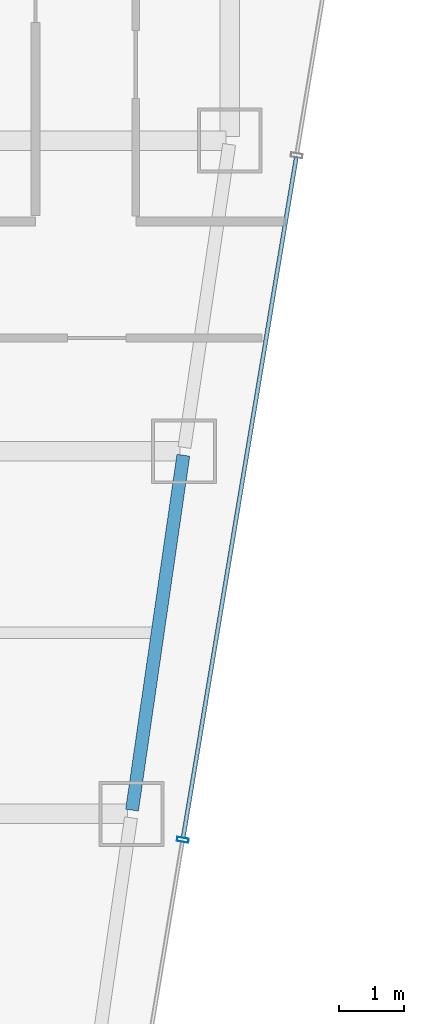
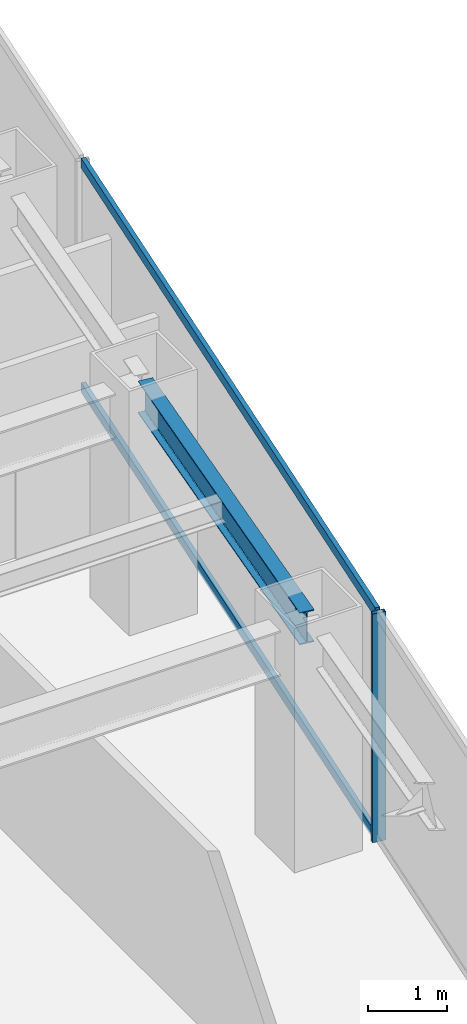
# One storey, part 18 of 36: 3 members, 1 beam, 1 element without a shape of its own.
"""IFC4 building model written with IfcOpenShell, lengths in metres."""

from ifc_helpers import new_model, si_unit, direction, frame, origin, origin_2d, place, context, subcontext, project, spatial, hollow_rectangle, i_section, extrude, material, material_profile, profile_set, type_object, element, aggregate, save


model = new_model("IFC4")

# Units and contexts
model_context = context("Model", 3, precision=1e-05, world=origin(), true_north=direction((0.0, 1.0)))
body_context = subcontext(model_context, "Body", "Model", "MODEL_VIEW")
ifc_project = project(units=[si_unit("LENGTHUNIT", "METRE"), si_unit("AREAUNIT", "SQUARE_METRE"), si_unit("VOLUMEUNIT", "CUBIC_METRE"), si_unit("PLANEANGLEUNIT", "RADIAN"), si_unit("MASSUNIT", "GRAM", prefix="KILO")], contexts=[model_context])

# Site, building, storey
site_placement = place(None, origin())
site = spatial("IfcSite", under=ifc_project, at=site_placement, CompositionType="ELEMENT")
building_placement = place(site_placement, origin())
building = spatial("IfcBuilding", under=site, at=building_placement, Name="Saevonmaru Cultural Tower", CompositionType="ELEMENT")
storey_placement = place(building_placement, frame((0.0, 0.0, 156.199951171875)))
storey = spatial("IfcBuildingStorey", under=building, at=storey_placement, Name="L34", CompositionType="ELEMENT", Elevation=156.199951171875)

# Beam
ifc_material_1 = material(Name="Steel SM355", Category="steel")
ifc_material_profile_1 = material_profile(ifc_material_1, i_section(OverallWidth=0.199951171875, OverallDepth=0.5, WebThickness=0.010009765625, FlangeThickness=0.01611328125, FilletRadius=0.02001953125, at=origin_2d()), Name="H-500x200x10x16")
ifc_profile_set_1 = profile_set([ifc_material_profile_1], Name="Steel SM355")
beam_type = type_object("IfcBeamType", Name="BM-SP-H500", PredefinedType="SPANDREL", material=ifc_profile_set_1)
beam_placement = place(storey_placement, frame((51.691650390625, 32.059326171875, 3.300048828125), z_axis=(0.142964121327, 0.989727871697, 0.0), x_axis=(-0.989727871697, 0.142964121327, 0.0)))
element("IfcBeam", 1, at=beam_placement, inside=storey, type_object=beam_type, Name="L34 East Splayed Spandrel 4", PredefinedType="SPANDREL", context=body_context, shape_type="SweptSolid", body=[
    extrude(i_section(OverallWidth=0.199951171875, OverallDepth=0.5, WebThickness=0.010009765625, FlangeThickness=0.01611328125, FilletRadius=0.02001953125, at=origin_2d()), origin(), (0.0, 0.0, 1.0), 5.5380859375),
])

# Curtain wall, members
ifc_material_2 = material(Name="Satin Bronze Anodised Aluminium", Category="aluminium")
curtain_wall_type = type_object("IfcCurtainWallType", Name="CW-TYP-A", PredefinedType="NOTDEFINED", material=ifc_material_2)
curtain_wall_placement = place(storey_placement, origin())
curtain_wall = element("IfcCurtainWall", 2, at=curtain_wall_placement, inside=storey, type_object=curtain_wall_type, Name="L34 Unitised Curtain Wall E8", PredefinedType="NOTDEFINED")
ifc_material_profile_2 = material_profile(ifc_material_2, hollow_rectangle(XDim=0.06494140625, YDim=0.179931640625, WallThickness=0.00390625, at=origin_2d()), Name="ALU-MULL-180x65x4")
ifc_profile_set_2 = profile_set([ifc_material_profile_2], Name="Satin Bronze Anodised Aluminium")
member_type_1 = type_object("IfcMemberType", Name="ML-CW-180x65", PredefinedType="MULLION", material=ifc_profile_set_2)
member_1_placement = place(storey_placement, frame((52.4755859375, 31.60009765625, 0.0), z_axis=(0.0, 0.0, 1.0), x_axis=(0.163998702345, 0.986460554523, 0.0)))
member_1 = element("IfcMember", 3, at=member_1_placement, type_object=member_type_1, Name="CW-TW-L34-E8 mullion 3", PredefinedType="MULLION", context=body_context, shape_type="SweptSolid", body=[
    extrude(hollow_rectangle(XDim=0.06494140625, YDim=0.179931640625, WallThickness=0.00390625, at=origin_2d()), origin(), (0.0, 0.0, 1.0), 3.550048828125),
])
ifc_material_profile_3 = material_profile(ifc_material_2, hollow_rectangle(XDim=0.06494140625, YDim=0.14990234375, WallThickness=0.00390625, at=origin_2d()), Name="ALU-TRAN-150x65x4")
ifc_profile_set_3 = profile_set([ifc_material_profile_3], Name="Satin Bronze Anodised Aluminium")
member_type_2 = type_object("IfcMemberType", Name="TR-CW-150x65", PredefinedType="USERDEFINED", material=ifc_profile_set_3)
member_2_placement = place(storey_placement, frame((52.48095703125, 31.632080078125, 0.032470703125), z_axis=(0.163990079074, 0.9864619881, 0.0), x_axis=(-0.9864619881, 0.163990079074, 0.0)))
member_2 = element("IfcMember", 4, at=member_2_placement, type_object=member_type_2, Name="CW-TW-L34-E8 transom 3.1", ObjectType="TRANSOM", PredefinedType="USERDEFINED", context=body_context, shape_type="SweptSolid", body=[
    extrude(hollow_rectangle(XDim=0.06494140625, YDim=0.14990234375, WallThickness=0.00390625, at=origin_2d()), origin(), (0.0, 0.0, 1.0), 10.650634765625),
])
member_3_placement = place(storey_placement, frame((52.48095703125, 31.632080078125, 3.517578125), z_axis=(0.163990079074, 0.9864619881, 0.0), x_axis=(-0.9864619881, 0.163990079074, 0.0)))
member_3 = element("IfcMember", 5, at=member_3_placement, type_object=member_type_2, Name="CW-TW-L34-E8 transom 3.2", ObjectType="TRANSOM", PredefinedType="USERDEFINED", context=body_context, shape_type="SweptSolid", body=[
    extrude(hollow_rectangle(XDim=0.06494140625, YDim=0.14990234375, WallThickness=0.00390625, at=origin_2d()), origin(), (0.0, 0.0, 1.0), 10.650634765625),
])
aggregate(curtain_wall, [member_1, member_2, member_3])

save(model, "model.ifc")
